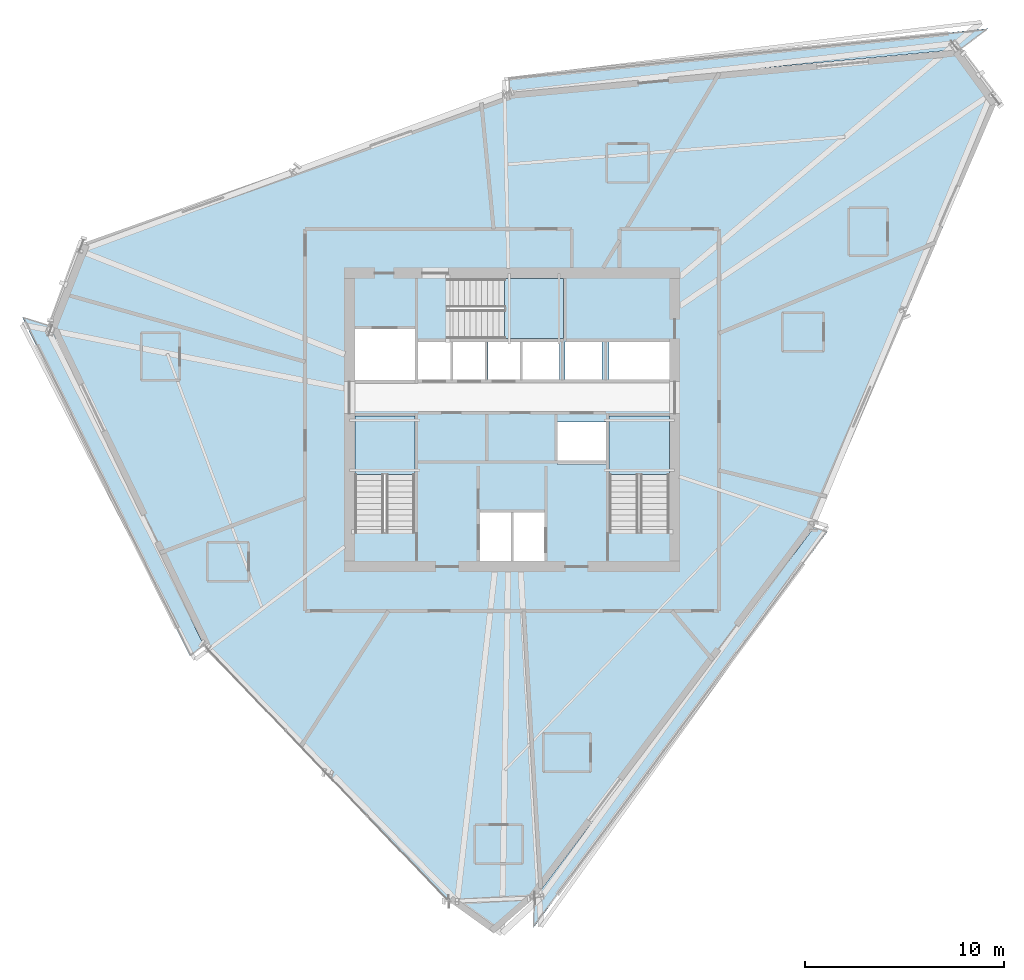
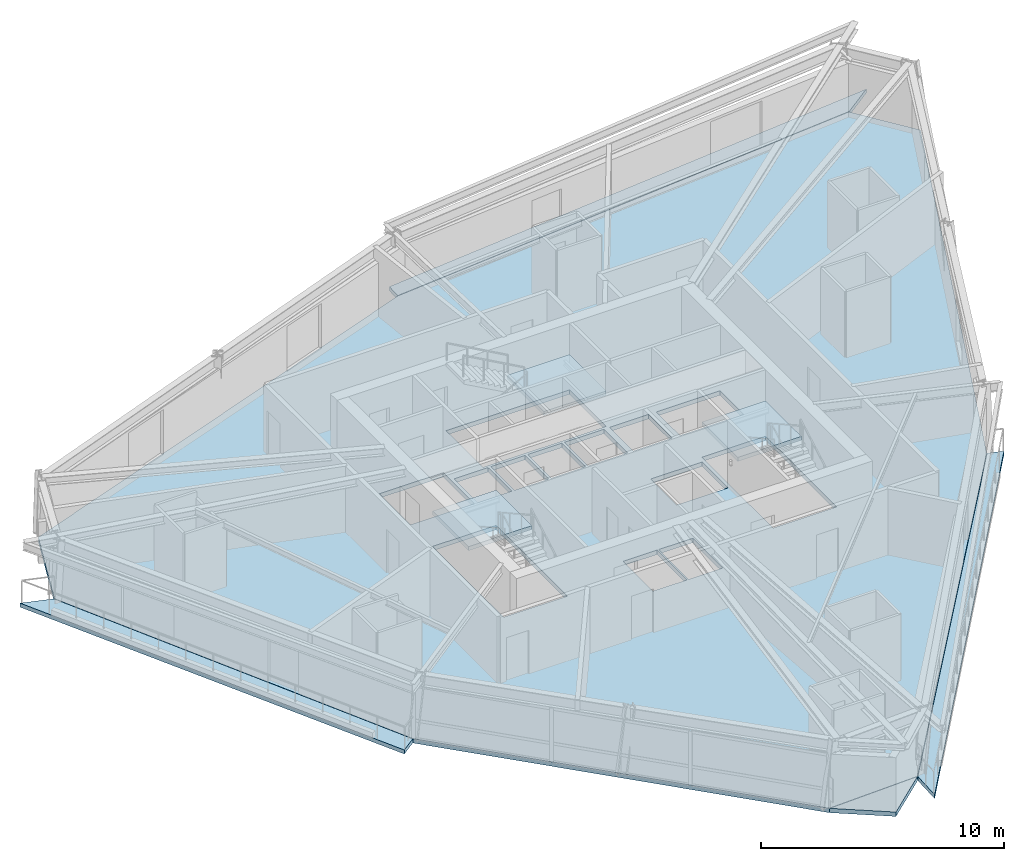
# One storey, part 5 of 14: 8 slabs, 3 elements without a shape of their own.
"""IFC4 building model written with IfcOpenShell, lengths in metres."""

from ifc_helpers import new_model, si_unit, direction, frame, origin, place, context, subcontext, project, spatial, polyline, outline, extrude, material, layer, layer_set, type_object, element, aggregate, save


model = new_model("IFC4")

# Units and contexts
model_context = context("Model", 3, precision=1e-05, world=origin(), true_north=direction((0.0, 1.0)))
body_context = subcontext(model_context, "Body", "Model", "MODEL_VIEW")
ifc_project = project(units=[si_unit("LENGTHUNIT", "METRE"), si_unit("AREAUNIT", "SQUARE_METRE"), si_unit("VOLUMEUNIT", "CUBIC_METRE"), si_unit("PLANEANGLEUNIT", "RADIAN"), si_unit("MASSUNIT", "GRAM", prefix="KILO")], contexts=[model_context])

# Site, building, storey
site_placement = place(None, origin())
site = spatial("IfcSite", under=ifc_project, at=site_placement, CompositionType="ELEMENT")
building_placement = place(site_placement, origin())
building = spatial("IfcBuilding", under=site, at=building_placement, Name="Olszyna Solenne Hotel", CompositionType="ELEMENT")
storey_placement = place(building_placement, frame((0.0, 0.0, 182.10009765625)))
storey = spatial("IfcBuildingStorey", under=building, at=storey_placement, Name="L48", CompositionType="ELEMENT", Elevation=182.10009765625)

# Stair, slab
ifc_material_1 = material(Name="Concrete C40/50", Category="concrete")
stair_type = type_object("IfcStairType", Name="STR-C1", PredefinedType="TWO_QUARTER_WINDING_STAIR", material=ifc_material_1)
stair_1_placement = place(storey_placement, origin())
stair_1 = element("IfcStair", 1, at=stair_1_placement, inside=storey, type_object=stair_type, Name="L48 ST1", PredefinedType="TWO_QUARTER_WINDING_STAIR")
ifc_layer_1 = layer(ifc_material_1, 0.18994140625, Name="Concrete C40/50")
ifc_layer_set_1 = layer_set([ifc_layer_1], Name="Concrete C40/50")
slab_type_1 = type_object("IfcSlabType", Name="SL-LN190", PredefinedType="LANDING", material=ifc_layer_set_1)
slab_1_placement = place(storey_placement, frame((0.0, 0.0, 1.574951171875)))
slab_1 = element("IfcSlab", 2, at=slab_1_placement, type_object=slab_type_1, Name="ST1 landing 1", PredefinedType="LANDING", context=body_context, shape_type="SweptSolid", body=[
    extrude(outline(polyline([(33.1201171875, 23.85009765625), (33.1201171875, 26.800048828125), (30.10009765625, 26.800048828125), (30.10009765625, 23.85009765625), (33.1201171875, 23.85009765625)])), origin(), (0.0, 0.0, 1.0), 0.199951171875),
])
aggregate(stair_1, [slab_1])

stair_2_placement = place(storey_placement, origin())
stair_2 = element("IfcStair", 3, at=stair_2_placement, inside=storey, type_object=stair_type, Name="L48 ST2", PredefinedType="TWO_QUARTER_WINDING_STAIR")
slab_2_placement = place(storey_placement, frame((0.0, 0.0, 1.574951171875)))
slab_2 = element("IfcSlab", 4, at=slab_2_placement, type_object=slab_type_1, Name="ST2 landing 1", PredefinedType="LANDING", context=body_context, shape_type="SweptSolid", body=[
    extrude(outline(polyline([(45.89990234375, 23.85009765625), (45.89990234375, 26.800048828125), (42.8798828125, 26.800048828125), (42.8798828125, 23.85009765625), (45.89990234375, 23.85009765625)])), origin(), (0.0, 0.0, 1.0), 0.199951171875),
])
aggregate(stair_2, [slab_2])

stair_3_placement = place(storey_placement, origin())
stair_3 = element("IfcStair", 5, at=stair_3_placement, inside=storey, type_object=stair_type, Name="L48 ST3", PredefinedType="TWO_QUARTER_WINDING_STAIR")
slab_3_placement = place(storey_placement, frame((0.0, 0.0, 1.574951171875)))
slab_3 = element("IfcSlab", 6, at=slab_3_placement, type_object=slab_type_1, Name="ST3 landing 1", PredefinedType="LANDING", context=body_context, shape_type="SweptSolid", body=[
    extrude(outline(polyline([(37.6298828125, 30.679931640625), (40.580078125, 30.679931640625), (40.580078125, 33.699951171875), (37.6298828125, 33.699951171875), (37.6298828125, 30.679931640625)])), origin(), (0.0, 0.0, 1.0), 0.199951171875),
])
aggregate(stair_3, [slab_3])

# Slabs
ifc_material_2 = material(Name="Precast concrete C45/55", Category="concrete")
ifc_layer_2 = layer(ifc_material_2, 0.199951171875, Name="Precast concrete C45/55")
ifc_layer_set_2 = layer_set([ifc_layer_2], Name="Precast concrete C45/55")
slab_type_2 = type_object("IfcSlabType", Name="SL-LOG200", PredefinedType="FLOOR", material=ifc_layer_set_2)
slab_4_placement = place(storey_placement, frame((0.0, 0.0, -0.2001953125)))
element("IfcSlab", 7, at=slab_4_placement, inside=storey, type_object=slab_type_2, Name="Exterior loggia balcony slab SL-L48-LG1", PredefinedType="FLOOR", context=body_context, shape_type="SweptSolid", body=[
    extrude(outline(polyline([(37.842041015625, 43.072509765625), (60.482421875, 45.222900390625), (60.483642578125, 45.222900390625), (60.485107421875, 45.222900390625), (60.486572265625, 45.22265625), (60.48779296875, 45.222412109375), (60.4892578125, 45.221923828125), (60.490478515625, 45.221435546875), (60.49169921875, 45.220703125), (60.492919921875, 45.219970703125), (60.493896484375, 45.218994140625), (60.494873046875, 45.218017578125), (60.495849609375, 45.216796875), (61.916748046875, 46.265380859375), (37.865478515625, 43.8037109375), (37.842041015625, 43.072509765625)])), origin(), (0.0, 0.0, 1.0), 0.2001953125),
])
slab_5_placement = place(storey_placement, frame((0.0, 0.0, -0.2001953125)))
element("IfcSlab", 8, at=slab_5_placement, inside=storey, type_object=slab_type_2, Name="Exterior loggia balcony slab SL-L48-LG2", PredefinedType="FLOOR", context=body_context, shape_type="SweptSolid", body=[
    extrude(outline(polyline([(22.50732421875, 15.269775390625), (22.506591796875, 15.270751953125), (22.505859375, 15.272216796875), (14.7607421875, 31.318115234375), (14.76025390625, 31.319580078125), (14.759765625, 31.321044921875), (14.759521484375, 31.322509765625), (14.75927734375, 31.323974609375), (14.75927734375, 31.32568359375), (14.759521484375, 31.3271484375), (14.759765625, 31.32861328125), (14.760009765625, 31.3291015625), (13.38916015625, 31.759521484375), (21.802734375, 14.75), (22.50732421875, 15.269775390625)])), origin(), (0.0, 0.0, 1.0), 0.2001953125),
])
slab_6_placement = place(storey_placement, frame((0.0, 0.0, -0.2001953125)))
element("IfcSlab", 9, at=slab_6_placement, inside=storey, type_object=slab_type_2, Name="Exterior loggia balcony slab SL-L48-LG3", PredefinedType="FLOOR", context=body_context, shape_type="SweptSolid", body=[
    extrude(outline(polyline([(53.17333984375, 21.192626953125), (53.172607421875, 21.19140625), (53.171875, 21.189697265625), (53.1708984375, 21.188232421875), (39.13720703125, 2.568359375), (39.135986328125, 2.567138671875), (39.135009765625, 2.566162109375), (39.12451171875, 2.556884765625), (39.0771484375, 1.0849609375), (53.851318359375, 20.979736328125), (53.17333984375, 21.192626953125)])), origin(), (0.0, 0.0, 1.0), 0.2001953125),
])
ifc_material_3 = material(Name="Concrete C50/60", Category="concrete")
ifc_layer_3 = layer(ifc_material_3, 0.219970703125, Name="Concrete C50/60")
ifc_layer_set_3 = layer_set([ifc_layer_3], Name="Concrete C50/60")
slab_type_3 = type_object("IfcSlabType", Name="SL-TW225", PredefinedType="FLOOR", material=ifc_layer_set_3)
slab_7_placement = place(storey_placement, frame((0.0, 0.0, -0.22021484375)))
element("IfcSlab", 10, at=slab_7_placement, inside=storey, type_object=slab_type_3, Name="Floor slab SL-TW225 SL-L48-01", PredefinedType="FLOOR", context=body_context, shape_type="SweptSolid", body=[
    extrude(outline(polyline([(62.3798828125, 42.612548828125), (60.483642578125, 45.2080078125), (37.841552734375, 43.0576171875), (16.3994140625, 35.47216796875), (14.7744140625, 31.32470703125), (22.519287109375, 15.278564453125), (34.83740234375, 2.4052734375), (39.125, 2.577392578125), (53.158935546875, 21.197265625), (62.3798828125, 42.612548828125)]), holes=[polyline([(30.10009765625, 20.949951171875), (33.1201171875, 20.949951171875), (33.1201171875, 26.800048828125), (30.10009765625, 26.800048828125), (30.10009765625, 20.949951171875)]), polyline([(42.8798828125, 20.949951171875), (45.89990234375, 20.949951171875), (45.89990234375, 26.800048828125), (42.8798828125, 26.800048828125), (42.8798828125, 20.949951171875)]), polyline([(34.72998046875, 30.679931640625), (40.580078125, 30.679931640625), (40.580078125, 33.699951171875), (34.72998046875, 33.699951171875), (34.72998046875, 30.679931640625)]), polyline([(36.340087890625, 19.5), (37.9599609375, 19.5), (37.9599609375, 21.9599609375), (36.340087890625, 21.9599609375), (36.340087890625, 19.5)]), polyline([(38.0400390625, 19.5), (39.659912109375, 19.5), (39.659912109375, 21.9599609375), (38.0400390625, 21.9599609375), (38.0400390625, 19.5)]), polyline([(30.10009765625, 28.60009765625), (33.1201171875, 28.60009765625), (33.1201171875, 31.159912109375), (30.10009765625, 31.159912109375), (30.10009765625, 28.60009765625)]), polyline([(40.280029296875, 24.360107421875), (42.719970703125, 24.360107421875), (42.719970703125, 26.5), (40.280029296875, 26.5), (40.280029296875, 24.360107421875)]), polyline([(33.280029296875, 28.60009765625), (34.89990234375, 28.60009765625), (34.89990234375, 30.550048828125), (33.280029296875, 30.550048828125), (33.280029296875, 28.60009765625)]), polyline([(35.030029296875, 28.60009765625), (36.64990234375, 28.60009765625), (36.64990234375, 30.550048828125), (35.030029296875, 30.550048828125), (35.030029296875, 28.60009765625)]), polyline([(36.780029296875, 28.60009765625), (38.39990234375, 28.60009765625), (38.39990234375, 30.550048828125), (36.780029296875, 30.550048828125), (36.780029296875, 28.60009765625)]), polyline([(38.530029296875, 28.60009765625), (40.389892578125, 28.60009765625), (40.389892578125, 30.550048828125), (38.530029296875, 30.550048828125), (38.530029296875, 28.60009765625)]), polyline([(40.659912109375, 28.60009765625), (42.52001953125, 28.60009765625), (42.52001953125, 30.550048828125), (40.659912109375, 30.550048828125), (40.659912109375, 28.60009765625)]), polyline([(42.8798828125, 28.60009765625), (45.89990234375, 28.60009765625), (45.89990234375, 30.550048828125), (42.8798828125, 30.550048828125), (42.8798828125, 28.60009765625)])]), origin(), (0.0, 0.0, 1.0), 0.22021484375),
])
slab_8_placement = place(storey_placement, frame((0.0, 0.0, -0.22021484375)))
element("IfcSlab", 11, at=slab_8_placement, inside=storey, type_object=slab_type_3, Name="Faceted glass-prism floor slab SL-L48-PR", PredefinedType="FLOOR", context=body_context, shape_type="SweptSolid", body=[
    extrude(outline(polyline([(39.113037109375, 2.56689453125), (34.8505859375, 2.395751953125), (37.07568359375, 0.800048828125), (39.113037109375, 2.56689453125)])), origin(), (0.0, 0.0, 1.0), 0.22021484375),
])

save(model, "model.ifc")
